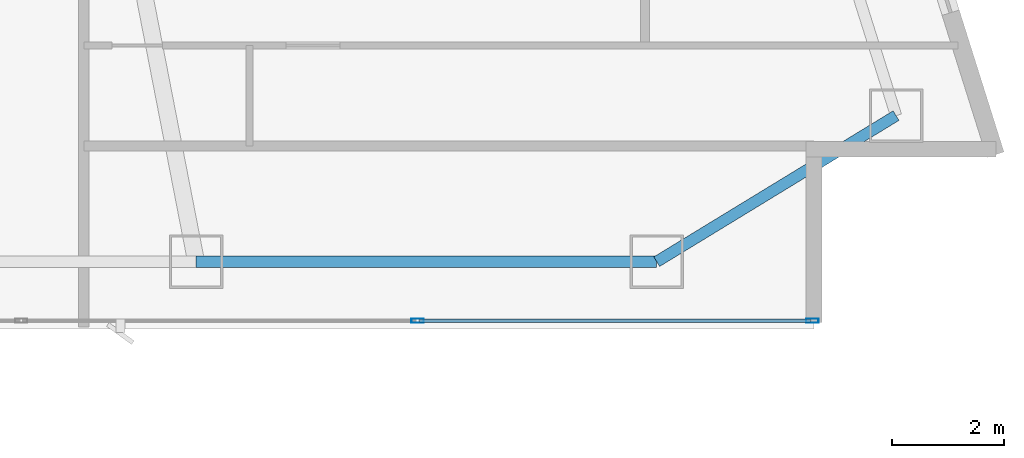
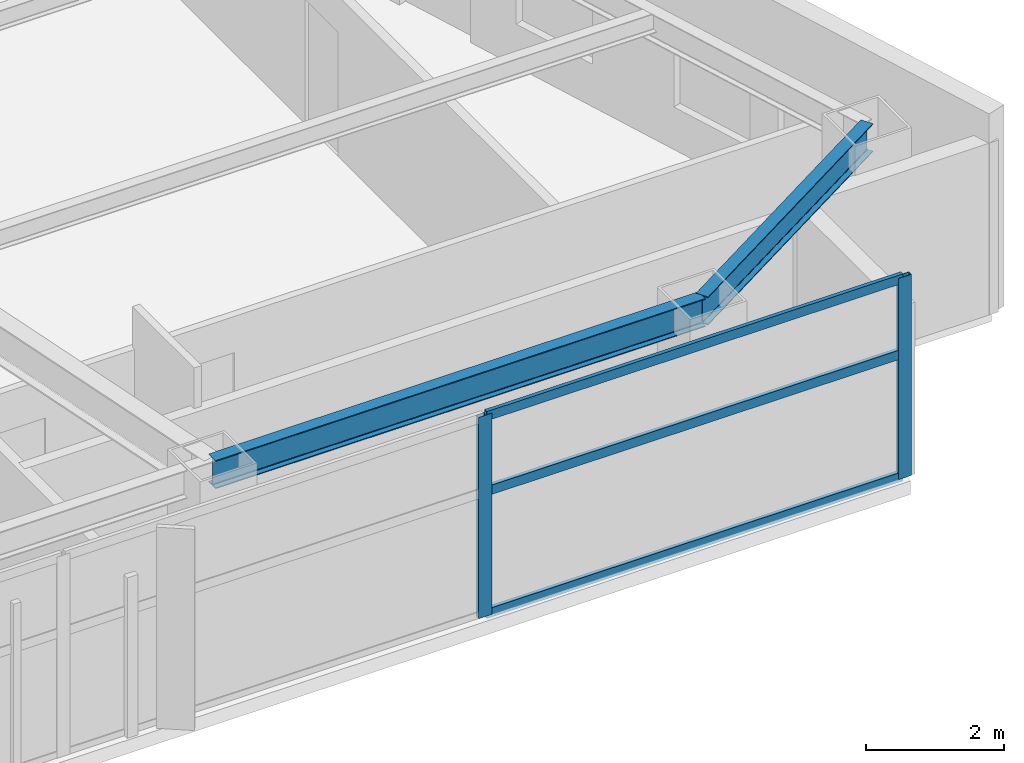
# One storey, part 14 of 29: 5 members, 2 beams, 1 element without a shape of its own.
"""IFC4 building model written with IfcOpenShell, lengths in metres."""

from ifc_helpers import new_model, si_unit, direction, frame, origin, origin_2d, place, context, subcontext, project, spatial, hollow_rectangle, i_section, extrude, material, layer, layer_set, material_profile, profile_set, type_object, element, aggregate, save


model = new_model("IFC4")

# Units and contexts
model_context = context("Model", 3, precision=1e-05, world=origin(), true_north=direction((0.0, 1.0)))
body_context = subcontext(model_context, "Body", "Model", "MODEL_VIEW")
ifc_project = project(units=[si_unit("LENGTHUNIT", "METRE"), si_unit("AREAUNIT", "SQUARE_METRE"), si_unit("VOLUMEUNIT", "CUBIC_METRE"), si_unit("PLANEANGLEUNIT", "RADIAN"), si_unit("MASSUNIT", "GRAM", prefix="KILO")], contexts=[model_context])

# Site, building, storey
site_placement = place(None, origin())
site = spatial("IfcSite", under=ifc_project, at=site_placement, CompositionType="ELEMENT")
building_placement = place(site_placement, origin())
building = spatial("IfcBuilding", under=site, at=building_placement, Name="Calvorn Quay Hotel", CompositionType="ELEMENT")
storey_placement = place(building_placement, frame((0.0, 0.0, 38.39990234375)))
storey = spatial("IfcBuildingStorey", under=building, at=storey_placement, Name="L08", CompositionType="ELEMENT", Elevation=38.39990234375)

# Beams
ifc_material_1 = material(Name="Steel Q355B", Category="steel")
ifc_material_profile_1 = material_profile(ifc_material_1, i_section(OverallWidth=0.199951171875, OverallDepth=0.5, WebThickness=0.010009765625, FlangeThickness=0.01611328125, FilletRadius=0.01611328125, at=origin_2d()), Name="HN500x200x10x16")
ifc_profile_set_1 = profile_set([ifc_material_profile_1], Name="Steel Q355B")
beam_type = type_object("IfcBeamType", Name="BM-SPANDREL-Z1", PredefinedType="SPANDREL", material=ifc_profile_set_1)
beam_1_placement = place(storey_placement, frame((49.39990234375, 3.60009765625, 3.2900390625), z_axis=(1.0, 0.0, 0.0), x_axis=(0.0, 1.0, 0.0)))
element("IfcBeam", 1, at=beam_1_placement, inside=storey, type_object=beam_type, Name="Beam BSP-L08-S6", PredefinedType="SPANDREL", context=body_context, shape_type="SweptSolid", body=[
    extrude(i_section(OverallWidth=0.199951171875, OverallDepth=0.5, WebThickness=0.010009765625, FlangeThickness=0.01611328125, FilletRadius=0.01611328125, at=origin_2d()), origin(), (0.0, 0.0, 1.0), 8.2001953125),
])
beam_2_placement = place(storey_placement, frame((57.60009765625, 3.60009765625, 3.2900390625), z_axis=(0.853645546466, 0.520854376, 0.0), x_axis=(-0.520854376, 0.853645546466, 0.0)))
element("IfcBeam", 2, at=beam_2_placement, inside=storey, type_object=beam_type, Name="Beam BSP-L08-S7", PredefinedType="SPANDREL", context=body_context, shape_type="SweptSolid", body=[
    extrude(i_section(OverallWidth=0.199951171875, OverallDepth=0.5, WebThickness=0.010009765625, FlangeThickness=0.01611328125, FilletRadius=0.01611328125, at=origin_2d()), origin(), (0.0, 0.0, 1.0), 4.991455078125),
])

# Curtain wall, members
ifc_material_2 = material(Name="Pale Anodised Aluminium and Low-E Glass", Category="aluminium")
ifc_layer = layer(ifc_material_2, 0.219970703125)
ifc_layer_set = layer_set([ifc_layer], Name="CW-SYS-Z1")
curtain_wall_type = type_object("IfcCurtainWallType", Name="CW-SYS-Z1", PredefinedType="NOTDEFINED", material=ifc_layer_set)
curtain_wall_placement = place(storey_placement, origin())
curtain_wall = element("IfcCurtainWall", 3, at=curtain_wall_placement, inside=storey, type_object=curtain_wall_type, Name="Tower South Waterfront Curtain Wall (L08)", PredefinedType="NOTDEFINED")
ifc_material_3 = material(Name="Pale Anodised Aluminium 6063-T6", Category="aluminium")
ifc_material_profile_2 = material_profile(ifc_material_3, hollow_rectangle(XDim=0.074951171875, YDim=0.219970703125, WallThickness=0.00439453125, at=origin_2d()), Name="ALU-M220x75x4.5")
ifc_profile_set_2 = profile_set([ifc_material_profile_2], Name="Pale Anodised Aluminium 6063-T6")
member_type_1 = type_object("IfcMemberType", Name="CW-SYS-Z1-MUL", PredefinedType="MULLION", material=ifc_profile_set_2)
member_1_placement = place(storey_placement, frame((53.3427734375, 2.550048828125, 0.0), z_axis=(0.0, 0.0, 1.0), x_axis=(0.0, 1.0, 0.0)))
member_1 = element("IfcMember", 4, at=member_1_placement, type_object=member_type_1, Name="CW-L08-S mullion 7", PredefinedType="MULLION", context=body_context, shape_type="SweptSolid", body=[
    extrude(hollow_rectangle(XDim=0.074951171875, YDim=0.219970703125, WallThickness=0.00439453125, at=origin_2d()), origin(), (0.0, 0.0, 1.0), 3.56005859375),
])
member_2_placement = place(storey_placement, frame((60.3701171875, 2.550048828125, 0.0), z_axis=(0.0, 0.0, 1.0), x_axis=(0.0, 1.0, 0.0)))
member_2 = element("IfcMember", 5, at=member_2_placement, type_object=member_type_1, Name="CW-L08-S mullion 8", PredefinedType="MULLION", context=body_context, shape_type="SweptSolid", body=[
    extrude(hollow_rectangle(XDim=0.074951171875, YDim=0.219970703125, WallThickness=0.00439453125, at=origin_2d()), origin(), (0.0, 0.0, 1.0), 3.56005859375),
])
ifc_material_4 = material(Name="Pale Anodised Aluminium 6063-T6", Category="aluminium")
ifc_material_profile_3 = material_profile(ifc_material_4, hollow_rectangle(XDim=0.06494140625, YDim=0.1650390625, WallThickness=0.00341796875, at=origin_2d()), Name="ALU-T165x65x3.5")
ifc_profile_set_3 = profile_set([ifc_material_profile_3], Name="Pale Anodised Aluminium 6063-T6")
member_type_2 = type_object("IfcMemberType", Name="CW-SYS-Z1-TRN", PredefinedType="USERDEFINED", material=ifc_profile_set_3)
member_3_placement = place(storey_placement, frame((53.372802734375, 2.550048828125, 0.030029296875), z_axis=(1.0, 0.0, 0.0), x_axis=(0.0, 1.0, 0.0)))
member_3 = element("IfcMember", 6, at=member_3_placement, type_object=member_type_2, Name="CW-L08-S transom 7.1", ObjectType="TRANSOM", PredefinedType="USERDEFINED", context=body_context, shape_type="SweptSolid", body=[
    extrude(hollow_rectangle(XDim=0.06494140625, YDim=0.1650390625, WallThickness=0.00341796875, at=origin_2d()), origin(), (0.0, 0.0, 1.0), 6.96728515625),
])
member_4_placement = place(storey_placement, frame((53.372802734375, 2.550048828125, 2.2001953125), z_axis=(1.0, 0.0, 0.0), x_axis=(0.0, 1.0, 0.0)))
member_4 = element("IfcMember", 7, at=member_4_placement, type_object=member_type_2, Name="CW-L08-S transom 7.2", ObjectType="TRANSOM", PredefinedType="USERDEFINED", context=body_context, shape_type="SweptSolid", body=[
    extrude(hollow_rectangle(XDim=0.06494140625, YDim=0.1650390625, WallThickness=0.00341796875, at=origin_2d()), origin(), (0.0, 0.0, 1.0), 6.96728515625),
])
member_5_placement = place(storey_placement, frame((53.372802734375, 2.550048828125, 3.530029296875), z_axis=(1.0, 0.0, 0.0), x_axis=(0.0, 1.0, 0.0)))
member_5 = element("IfcMember", 8, at=member_5_placement, type_object=member_type_2, Name="CW-L08-S transom 7.3", ObjectType="TRANSOM", PredefinedType="USERDEFINED", context=body_context, shape_type="SweptSolid", body=[
    extrude(hollow_rectangle(XDim=0.06494140625, YDim=0.1650390625, WallThickness=0.00341796875, at=origin_2d()), origin(), (0.0, 0.0, 1.0), 6.96728515625),
])
aggregate(curtain_wall, [member_1, member_2, member_3, member_4, member_5])

save(model, "model.ifc")
